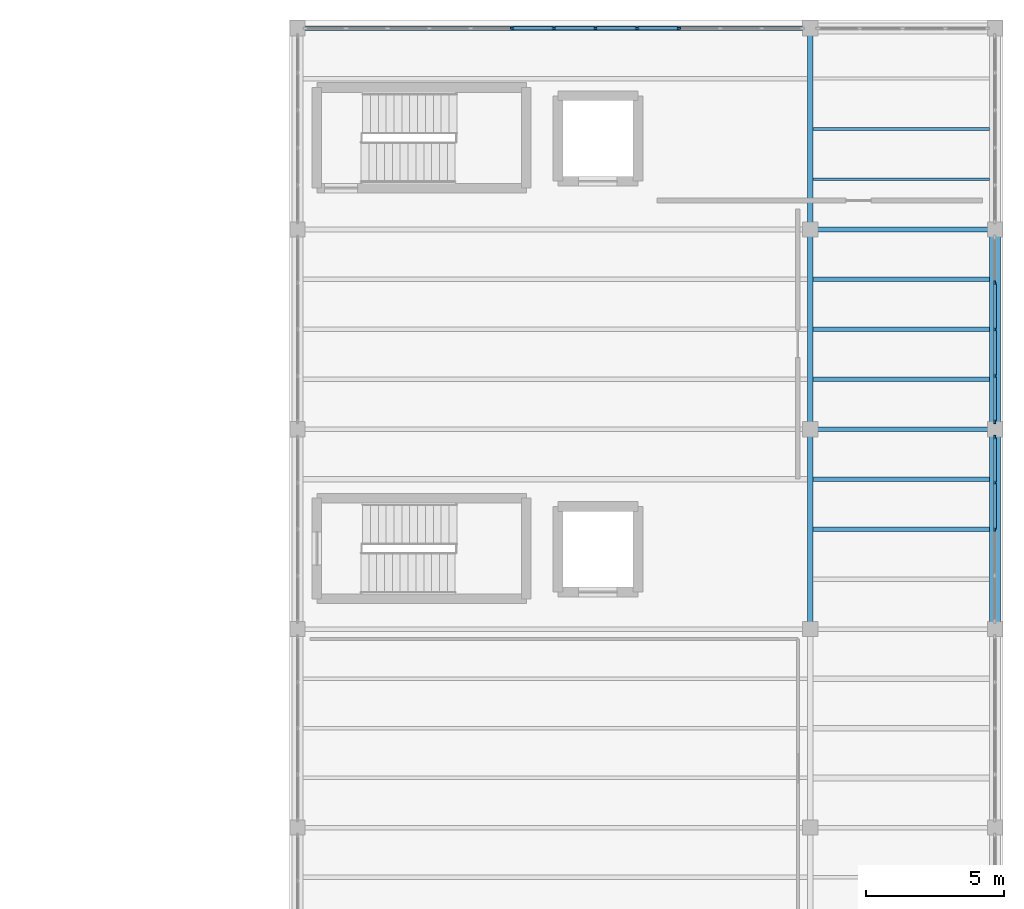
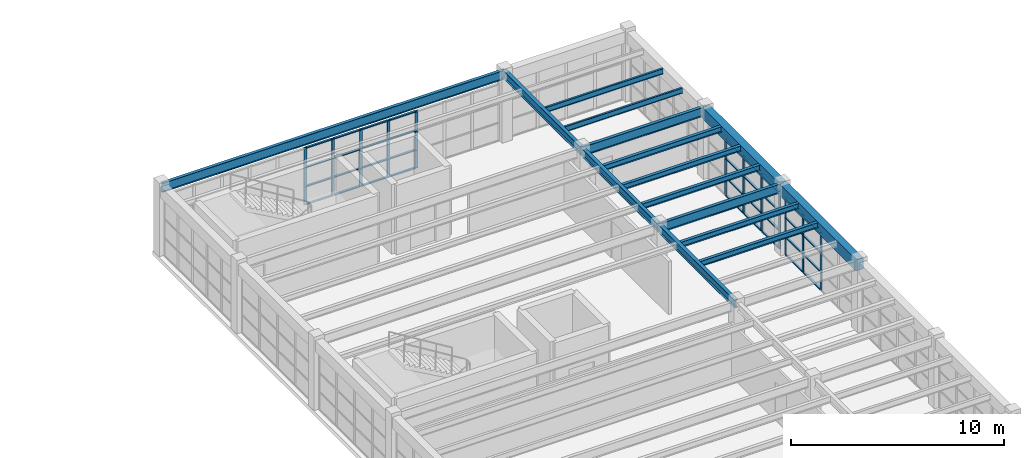
# One storey, part 34 of 66: 48 members, 15 beams, 3 elements without a shape of their own.
"""IFC4 building model written with IfcOpenShell, lengths in metres."""

from ifc_helpers import new_model, si_unit, direction, frame, origin, origin_2d, place, context, subcontext, project, spatial, rectangle, i_section, extrude, material, layer, layer_set, material_profile, profile_set, type_object, element, aggregate, save


model = new_model("IFC4")

# Units and contexts
model_context = context("Model", 3, precision=1e-05, world=origin(), true_north=direction((0.0, 1.0)))
body_context = subcontext(model_context, "Body", "Model", "MODEL_VIEW")
ifc_project = project(units=[si_unit("LENGTHUNIT", "METRE"), si_unit("AREAUNIT", "SQUARE_METRE"), si_unit("VOLUMEUNIT", "CUBIC_METRE"), si_unit("PLANEANGLEUNIT", "RADIAN"), si_unit("MASSUNIT", "GRAM", prefix="KILO")], contexts=[model_context])

# Site, building, storey
site_placement = place(None, origin())
site = spatial("IfcSite", under=ifc_project, at=site_placement, CompositionType="ELEMENT")
building_placement = place(site_placement, origin())
building = spatial("IfcBuilding", under=site, at=building_placement, Name="Candilejo Ridge Gondola Terminal", CompositionType="ELEMENT")
storey_placement = place(building_placement, frame((0.0, 0.0, 14.39990234375)))
storey = spatial("IfcBuildingStorey", under=building, at=storey_placement, Name="L03", CompositionType="ELEMENT", Elevation=14.39990234375)

# Curtain wall, members
ifc_material_1 = material(Name="Anodised aluminium AA 6063-T6", Category="aluminium")
ifc_layer_1 = layer(ifc_material_1, 0.169921875)
ifc_layer_set_1 = layer_set([ifc_layer_1], Name="ARC-CW-TOWER-3000-675X329")
curtain_wall_type_1 = type_object("IfcCurtainWallType", Name="ARC-CW-TOWER-3000-675X329", PredefinedType="NOTDEFINED", material=ifc_layer_set_1)
curtain_wall_1_placement = place(storey_placement, origin())
curtain_wall_1 = element("IfcCurtainWall", 1, at=curtain_wall_1_placement, inside=storey, type_object=curtain_wall_type_1, Name="Curtain wall V5 L03-203", PredefinedType="NOTDEFINED")
ifc_material_2 = material(Name="Anodised aluminium AA 6063-T6", Category="aluminium")
ifc_material_profile_1 = material_profile(ifc_material_2, rectangle(XDim=0.06494140625, YDim=0.14990234375, at=origin_2d()))
ifc_profile_set_1 = profile_set([ifc_material_profile_1], Name="Anodised aluminium AA 6063-T6")
member_type_1 = type_object("IfcMemberType", Name="ARC-CW-MULLION-150", PredefinedType="MULLION", material=ifc_profile_set_1)
member_1_placement = place(storey_placement, frame((175.300048828125, 102.675048828125, 0.0), z_axis=(0.0, 0.0, 1.0), x_axis=(-1.0, 0.0, 0.0)))
member_1 = element("IfcMember", 2, at=member_1_placement, type_object=member_type_1, Name="CW-67X32 mullion 3", PredefinedType="MULLION", context=body_context, shape_type="SweptSolid", body=[
    extrude(rectangle(XDim=0.06494140625, YDim=0.14990234375, at=origin_2d()), origin(), (0.0, 0.0, 1.0), 3.2900390625),
])
member_2_placement = place(storey_placement, frame((175.300048828125, 104.362548828125, 0.0), z_axis=(0.0, 0.0, 1.0), x_axis=(-1.0, 0.0, 0.0)))
member_2 = element("IfcMember", 3, at=member_2_placement, type_object=member_type_1, Name="CW-67X32 mullion 4", PredefinedType="MULLION", context=body_context, shape_type="SweptSolid", body=[
    extrude(rectangle(XDim=0.06494140625, YDim=0.14990234375, at=origin_2d()), origin(), (0.0, 0.0, 1.0), 3.2900390625),
])
member_3_placement = place(storey_placement, frame((175.300048828125, 106.017578125, 0.0), z_axis=(0.0, 0.0, 1.0), x_axis=(-1.0, 0.0, 0.0)))
member_3 = element("IfcMember", 4, at=member_3_placement, type_object=member_type_1, Name="CW-67X32 mullion 5", PredefinedType="MULLION", context=body_context, shape_type="SweptSolid", body=[
    extrude(rectangle(XDim=0.06494140625, YDim=0.14990234375, at=origin_2d()), origin(), (0.0, 0.0, 1.0), 3.2900390625),
])

curtain_wall_2_placement = place(storey_placement, origin())
curtain_wall_2 = element("IfcCurtainWall", 5, at=curtain_wall_2_placement, inside=storey, type_object=curtain_wall_type_1, Name="Curtain wall V5 L03-205", PredefinedType="NOTDEFINED")
member_4_placement = place(storey_placement, frame((175.300048828125, 106.58251953125, 0.0), z_axis=(0.0, 0.0, 1.0), x_axis=(-1.0, 0.0, 0.0)))
member_4 = element("IfcMember", 6, at=member_4_placement, type_object=member_type_1, Name="CW-67X32 mullion 1", PredefinedType="MULLION", context=body_context, shape_type="SweptSolid", body=[
    extrude(rectangle(XDim=0.06494140625, YDim=0.14990234375, at=origin_2d()), origin(), (0.0, 0.0, 1.0), 3.2900390625),
])
member_5_placement = place(storey_placement, frame((175.300048828125, 108.237548828125, 0.0), z_axis=(0.0, 0.0, 1.0), x_axis=(-1.0, 0.0, 0.0)))
member_5 = element("IfcMember", 7, at=member_5_placement, type_object=member_type_1, Name="CW-67X32 mullion 2", PredefinedType="MULLION", context=body_context, shape_type="SweptSolid", body=[
    extrude(rectangle(XDim=0.06494140625, YDim=0.14990234375, at=origin_2d()), origin(), (0.0, 0.0, 1.0), 3.2900390625),
])
member_6_placement = place(storey_placement, frame((175.300048828125, 109.925048828125, 0.0), z_axis=(0.0, 0.0, 1.0), x_axis=(-1.0, 0.0, 0.0)))
member_6 = element("IfcMember", 8, at=member_6_placement, type_object=member_type_1, Name="CW-67X32 mullion 3", PredefinedType="MULLION", context=body_context, shape_type="SweptSolid", body=[
    extrude(rectangle(XDim=0.06494140625, YDim=0.14990234375, at=origin_2d()), origin(), (0.0, 0.0, 1.0), 3.2900390625),
])
member_7_placement = place(storey_placement, frame((175.300048828125, 111.612548828125, 0.0), z_axis=(0.0, 0.0, 1.0), x_axis=(-1.0, 0.0, 0.0)))
member_7 = element("IfcMember", 9, at=member_7_placement, type_object=member_type_1, Name="CW-67X32 mullion 4", PredefinedType="MULLION", context=body_context, shape_type="SweptSolid", body=[
    extrude(rectangle(XDim=0.06494140625, YDim=0.14990234375, at=origin_2d()), origin(), (0.0, 0.0, 1.0), 3.2900390625),
])

ifc_material_3 = material(Name="Anodised aluminium AA 6063-T6", Category="aluminium")
ifc_layer_2 = layer(ifc_material_3, 0.169921875)
ifc_layer_set_2 = layer_set([ifc_layer_2], Name="ARC-CW-TOWER-3000-1810X329")
curtain_wall_type_2 = type_object("IfcCurtainWallType", Name="ARC-CW-TOWER-3000-1810X329", PredefinedType="NOTDEFINED", material=ifc_layer_set_2)
curtain_wall_3_placement = place(storey_placement, origin())
curtain_wall_3 = element("IfcCurtainWall", 10, at=curtain_wall_3_placement, inside=storey, type_object=curtain_wall_type_2, Name="Curtain wall V5 L03-209", PredefinedType="NOTDEFINED")
member_8_placement = place(storey_placement, frame((157.791748046875, 120.85009765625, 0.0), z_axis=(0.0, 0.0, 1.0), x_axis=(0.0, 1.0, 0.0)))
member_8 = element("IfcMember", 11, at=member_8_placement, type_object=member_type_1, Name="CW-181X32 mullion 6", PredefinedType="MULLION", context=body_context, shape_type="SweptSolid", body=[
    extrude(rectangle(XDim=0.06494140625, YDim=0.14990234375, at=origin_2d()), origin(), (0.0, 0.0, 1.0), 3.2900390625),
])
member_9_placement = place(storey_placement, frame((159.300048828125, 120.85009765625, 0.0), z_axis=(0.0, 0.0, 1.0), x_axis=(0.0, 1.0, 0.0)))
member_9 = element("IfcMember", 12, at=member_9_placement, type_object=member_type_1, Name="CW-181X32 mullion 7", PredefinedType="MULLION", context=body_context, shape_type="SweptSolid", body=[
    extrude(rectangle(XDim=0.06494140625, YDim=0.14990234375, at=origin_2d()), origin(), (0.0, 0.0, 1.0), 3.2900390625),
])
member_10_placement = place(storey_placement, frame((160.808349609375, 120.85009765625, 0.0), z_axis=(0.0, 0.0, 1.0), x_axis=(0.0, 1.0, 0.0)))
member_10 = element("IfcMember", 13, at=member_10_placement, type_object=member_type_1, Name="CW-181X32 mullion 8", PredefinedType="MULLION", context=body_context, shape_type="SweptSolid", body=[
    extrude(rectangle(XDim=0.06494140625, YDim=0.14990234375, at=origin_2d()), origin(), (0.0, 0.0, 1.0), 3.2900390625),
])
member_11_placement = place(storey_placement, frame((162.316650390625, 120.85009765625, 0.0), z_axis=(0.0, 0.0, 1.0), x_axis=(0.0, 1.0, 0.0)))
member_11 = element("IfcMember", 14, at=member_11_placement, type_object=member_type_1, Name="CW-181X32 mullion 9", PredefinedType="MULLION", context=body_context, shape_type="SweptSolid", body=[
    extrude(rectangle(XDim=0.06494140625, YDim=0.14990234375, at=origin_2d()), origin(), (0.0, 0.0, 1.0), 3.2900390625),
])
member_12_placement = place(storey_placement, frame((163.824951171875, 120.85009765625, 0.0), z_axis=(0.0, 0.0, 1.0), x_axis=(0.0, 1.0, 0.0)))
member_12 = element("IfcMember", 15, at=member_12_placement, type_object=member_type_1, Name="CW-181X32 mullion 10", PredefinedType="MULLION", context=body_context, shape_type="SweptSolid", body=[
    extrude(rectangle(XDim=0.06494140625, YDim=0.14990234375, at=origin_2d()), origin(), (0.0, 0.0, 1.0), 3.2900390625),
])

# Member
ifc_material_4 = material(Name="Anodised aluminium AA 6063-T6", Category="aluminium")
ifc_material_profile_2 = material_profile(ifc_material_4, rectangle(XDim=0.110107421875, YDim=0.06005859375, at=origin_2d()))
ifc_profile_set_2 = profile_set([ifc_material_profile_2], Name="Anodised aluminium AA 6063-T6")
member_type_2 = type_object("IfcMemberType", Name="ARC-CW-TRANSOM-110", PredefinedType="USERDEFINED", material=ifc_profile_set_2)
member_13_placement = place(storey_placement, frame((175.300048828125, 102.70751953125, 0.030029296875), z_axis=(0.0, 1.0, 0.0), x_axis=(-1.0, 0.0, 0.0)))
member_13 = element("IfcMember", 16, at=member_13_placement, type_object=member_type_2, Name="CW-67X32 transom 3.1", ObjectType="TRANSOM", PredefinedType="USERDEFINED", context=body_context, shape_type="SweptSolid", body=[
    extrude(rectangle(XDim=0.110107421875, YDim=0.06005859375, at=origin_2d()), origin(), (0.0, 0.0, 1.0), 1.62255859375),
])

member_14_placement = place(storey_placement, frame((175.300048828125, 102.70751953125, 1.050048828125), z_axis=(0.0, 1.0, 0.0), x_axis=(-1.0, 0.0, 0.0)))
member_14 = element("IfcMember", 17, at=member_14_placement, type_object=member_type_2, Name="CW-67X32 transom 3.2", ObjectType="TRANSOM", PredefinedType="USERDEFINED", context=body_context, shape_type="SweptSolid", body=[
    extrude(rectangle(XDim=0.110107421875, YDim=0.06005859375, at=origin_2d()), origin(), (0.0, 0.0, 1.0), 1.62255859375),
])

member_15_placement = place(storey_placement, frame((175.300048828125, 102.70751953125, 2.150146484375), z_axis=(0.0, 1.0, 0.0), x_axis=(-1.0, 0.0, 0.0)))
member_15 = element("IfcMember", 18, at=member_15_placement, type_object=member_type_2, Name="CW-67X32 transom 3.3", ObjectType="TRANSOM", PredefinedType="USERDEFINED", context=body_context, shape_type="SweptSolid", body=[
    extrude(rectangle(XDim=0.110107421875, YDim=0.06005859375, at=origin_2d()), origin(), (0.0, 0.0, 1.0), 1.62255859375),
])

member_16_placement = place(storey_placement, frame((175.300048828125, 102.70751953125, 3.260009765625), z_axis=(0.0, 1.0, 0.0), x_axis=(-1.0, 0.0, 0.0)))
member_16 = element("IfcMember", 19, at=member_16_placement, type_object=member_type_2, Name="CW-67X32 transom 3.4", ObjectType="TRANSOM", PredefinedType="USERDEFINED", context=body_context, shape_type="SweptSolid", body=[
    extrude(rectangle(XDim=0.110107421875, YDim=0.06005859375, at=origin_2d()), origin(), (0.0, 0.0, 1.0), 1.62255859375),
])

member_17_placement = place(storey_placement, frame((175.300048828125, 104.39501953125, 0.030029296875), z_axis=(0.0, 1.0, 0.0), x_axis=(-1.0, 0.0, 0.0)))
member_17 = element("IfcMember", 20, at=member_17_placement, type_object=member_type_2, Name="CW-67X32 transom 4.1", ObjectType="TRANSOM", PredefinedType="USERDEFINED", context=body_context, shape_type="SweptSolid", body=[
    extrude(rectangle(XDim=0.110107421875, YDim=0.06005859375, at=origin_2d()), origin(), (0.0, 0.0, 1.0), 1.590087890625),
])

member_18_placement = place(storey_placement, frame((175.300048828125, 104.39501953125, 1.050048828125), z_axis=(0.0, 1.0, 0.0), x_axis=(-1.0, 0.0, 0.0)))
member_18 = element("IfcMember", 21, at=member_18_placement, type_object=member_type_2, Name="CW-67X32 transom 4.2", ObjectType="TRANSOM", PredefinedType="USERDEFINED", context=body_context, shape_type="SweptSolid", body=[
    extrude(rectangle(XDim=0.110107421875, YDim=0.06005859375, at=origin_2d()), origin(), (0.0, 0.0, 1.0), 1.590087890625),
])

member_19_placement = place(storey_placement, frame((175.300048828125, 104.39501953125, 2.150146484375), z_axis=(0.0, 1.0, 0.0), x_axis=(-1.0, 0.0, 0.0)))
member_19 = element("IfcMember", 22, at=member_19_placement, type_object=member_type_2, Name="CW-67X32 transom 4.3", ObjectType="TRANSOM", PredefinedType="USERDEFINED", context=body_context, shape_type="SweptSolid", body=[
    extrude(rectangle(XDim=0.110107421875, YDim=0.06005859375, at=origin_2d()), origin(), (0.0, 0.0, 1.0), 1.590087890625),
])

member_20_placement = place(storey_placement, frame((175.300048828125, 104.39501953125, 3.260009765625), z_axis=(0.0, 1.0, 0.0), x_axis=(-1.0, 0.0, 0.0)))
member_20 = element("IfcMember", 23, at=member_20_placement, type_object=member_type_2, Name="CW-67X32 transom 4.4", ObjectType="TRANSOM", PredefinedType="USERDEFINED", context=body_context, shape_type="SweptSolid", body=[
    extrude(rectangle(XDim=0.110107421875, YDim=0.06005859375, at=origin_2d()), origin(), (0.0, 0.0, 1.0), 1.590087890625),
])

aggregate(curtain_wall_1, [member_1, member_2, member_3, member_13, member_14, member_15, member_16, member_17, member_18, member_19, member_20])

member_21_placement = place(storey_placement, frame((175.300048828125, 106.614990234375, 0.030029296875), z_axis=(0.0, 1.0, 0.0), x_axis=(-1.0, 0.0, 0.0)))
member_21 = element("IfcMember", 24, at=member_21_placement, type_object=member_type_2, Name="CW-67X32 transom 1.1", ObjectType="TRANSOM", PredefinedType="USERDEFINED", context=body_context, shape_type="SweptSolid", body=[
    extrude(rectangle(XDim=0.110107421875, YDim=0.06005859375, at=origin_2d()), origin(), (0.0, 0.0, 1.0), 1.590087890625),
])

member_22_placement = place(storey_placement, frame((175.300048828125, 106.614990234375, 1.050048828125), z_axis=(0.0, 1.0, 0.0), x_axis=(-1.0, 0.0, 0.0)))
member_22 = element("IfcMember", 25, at=member_22_placement, type_object=member_type_2, Name="CW-67X32 transom 1.2", ObjectType="TRANSOM", PredefinedType="USERDEFINED", context=body_context, shape_type="SweptSolid", body=[
    extrude(rectangle(XDim=0.110107421875, YDim=0.06005859375, at=origin_2d()), origin(), (0.0, 0.0, 1.0), 1.590087890625),
])

member_23_placement = place(storey_placement, frame((175.300048828125, 106.614990234375, 2.150146484375), z_axis=(0.0, 1.0, 0.0), x_axis=(-1.0, 0.0, 0.0)))
member_23 = element("IfcMember", 26, at=member_23_placement, type_object=member_type_2, Name="CW-67X32 transom 1.3", ObjectType="TRANSOM", PredefinedType="USERDEFINED", context=body_context, shape_type="SweptSolid", body=[
    extrude(rectangle(XDim=0.110107421875, YDim=0.06005859375, at=origin_2d()), origin(), (0.0, 0.0, 1.0), 1.590087890625),
])

member_24_placement = place(storey_placement, frame((175.300048828125, 106.614990234375, 3.260009765625), z_axis=(0.0, 1.0, 0.0), x_axis=(-1.0, 0.0, 0.0)))
member_24 = element("IfcMember", 27, at=member_24_placement, type_object=member_type_2, Name="CW-67X32 transom 1.4", ObjectType="TRANSOM", PredefinedType="USERDEFINED", context=body_context, shape_type="SweptSolid", body=[
    extrude(rectangle(XDim=0.110107421875, YDim=0.06005859375, at=origin_2d()), origin(), (0.0, 0.0, 1.0), 1.590087890625),
])

member_25_placement = place(storey_placement, frame((175.300048828125, 108.27001953125, 0.030029296875), z_axis=(0.0, 1.0, 0.0), x_axis=(-1.0, 0.0, 0.0)))
member_25 = element("IfcMember", 28, at=member_25_placement, type_object=member_type_2, Name="CW-67X32 transom 2.1", ObjectType="TRANSOM", PredefinedType="USERDEFINED", context=body_context, shape_type="SweptSolid", body=[
    extrude(rectangle(XDim=0.110107421875, YDim=0.06005859375, at=origin_2d()), origin(), (0.0, 0.0, 1.0), 1.62255859375),
])

member_26_placement = place(storey_placement, frame((175.300048828125, 108.27001953125, 1.050048828125), z_axis=(0.0, 1.0, 0.0), x_axis=(-1.0, 0.0, 0.0)))
member_26 = element("IfcMember", 29, at=member_26_placement, type_object=member_type_2, Name="CW-67X32 transom 2.2", ObjectType="TRANSOM", PredefinedType="USERDEFINED", context=body_context, shape_type="SweptSolid", body=[
    extrude(rectangle(XDim=0.110107421875, YDim=0.06005859375, at=origin_2d()), origin(), (0.0, 0.0, 1.0), 1.62255859375),
])

member_27_placement = place(storey_placement, frame((175.300048828125, 108.27001953125, 2.150146484375), z_axis=(0.0, 1.0, 0.0), x_axis=(-1.0, 0.0, 0.0)))
member_27 = element("IfcMember", 30, at=member_27_placement, type_object=member_type_2, Name="CW-67X32 transom 2.3", ObjectType="TRANSOM", PredefinedType="USERDEFINED", context=body_context, shape_type="SweptSolid", body=[
    extrude(rectangle(XDim=0.110107421875, YDim=0.06005859375, at=origin_2d()), origin(), (0.0, 0.0, 1.0), 1.62255859375),
])

member_28_placement = place(storey_placement, frame((175.300048828125, 108.27001953125, 3.260009765625), z_axis=(0.0, 1.0, 0.0), x_axis=(-1.0, 0.0, 0.0)))
member_28 = element("IfcMember", 31, at=member_28_placement, type_object=member_type_2, Name="CW-67X32 transom 2.4", ObjectType="TRANSOM", PredefinedType="USERDEFINED", context=body_context, shape_type="SweptSolid", body=[
    extrude(rectangle(XDim=0.110107421875, YDim=0.06005859375, at=origin_2d()), origin(), (0.0, 0.0, 1.0), 1.62255859375),
])

member_29_placement = place(storey_placement, frame((175.300048828125, 109.95751953125, 0.030029296875), z_axis=(0.0, 1.0, 0.0), x_axis=(-1.0, 0.0, 0.0)))
member_29 = element("IfcMember", 32, at=member_29_placement, type_object=member_type_2, Name="CW-67X32 transom 3.1", ObjectType="TRANSOM", PredefinedType="USERDEFINED", context=body_context, shape_type="SweptSolid", body=[
    extrude(rectangle(XDim=0.110107421875, YDim=0.06005859375, at=origin_2d()), origin(), (0.0, 0.0, 1.0), 1.62255859375),
])

member_30_placement = place(storey_placement, frame((175.300048828125, 109.95751953125, 1.050048828125), z_axis=(0.0, 1.0, 0.0), x_axis=(-1.0, 0.0, 0.0)))
member_30 = element("IfcMember", 33, at=member_30_placement, type_object=member_type_2, Name="CW-67X32 transom 3.2", ObjectType="TRANSOM", PredefinedType="USERDEFINED", context=body_context, shape_type="SweptSolid", body=[
    extrude(rectangle(XDim=0.110107421875, YDim=0.06005859375, at=origin_2d()), origin(), (0.0, 0.0, 1.0), 1.62255859375),
])

member_31_placement = place(storey_placement, frame((175.300048828125, 109.95751953125, 2.150146484375), z_axis=(0.0, 1.0, 0.0), x_axis=(-1.0, 0.0, 0.0)))
member_31 = element("IfcMember", 34, at=member_31_placement, type_object=member_type_2, Name="CW-67X32 transom 3.3", ObjectType="TRANSOM", PredefinedType="USERDEFINED", context=body_context, shape_type="SweptSolid", body=[
    extrude(rectangle(XDim=0.110107421875, YDim=0.06005859375, at=origin_2d()), origin(), (0.0, 0.0, 1.0), 1.62255859375),
])

member_32_placement = place(storey_placement, frame((175.300048828125, 109.95751953125, 3.260009765625), z_axis=(0.0, 1.0, 0.0), x_axis=(-1.0, 0.0, 0.0)))
member_32 = element("IfcMember", 35, at=member_32_placement, type_object=member_type_2, Name="CW-67X32 transom 3.4", ObjectType="TRANSOM", PredefinedType="USERDEFINED", context=body_context, shape_type="SweptSolid", body=[
    extrude(rectangle(XDim=0.110107421875, YDim=0.06005859375, at=origin_2d()), origin(), (0.0, 0.0, 1.0), 1.62255859375),
])

aggregate(curtain_wall_2, [member_4, member_5, member_6, member_7, member_21, member_22, member_23, member_24, member_25, member_26, member_27, member_28, member_29, member_30, member_31, member_32])

member_33_placement = place(storey_placement, frame((157.82421875, 120.85009765625, 0.030029296875), z_axis=(1.0, 0.0, 0.0), x_axis=(0.0, 1.0, 0.0)))
member_33 = element("IfcMember", 36, at=member_33_placement, type_object=member_type_2, Name="CW-181X32 transom 6.1", ObjectType="TRANSOM", PredefinedType="USERDEFINED", context=body_context, shape_type="SweptSolid", body=[
    extrude(rectangle(XDim=0.110107421875, YDim=0.06005859375, at=origin_2d()), origin(), (0.0, 0.0, 1.0), 1.443359375),
])

member_34_placement = place(storey_placement, frame((157.82421875, 120.85009765625, 1.050048828125), z_axis=(1.0, 0.0, 0.0), x_axis=(0.0, 1.0, 0.0)))
member_34 = element("IfcMember", 37, at=member_34_placement, type_object=member_type_2, Name="CW-181X32 transom 6.2", ObjectType="TRANSOM", PredefinedType="USERDEFINED", context=body_context, shape_type="SweptSolid", body=[
    extrude(rectangle(XDim=0.110107421875, YDim=0.06005859375, at=origin_2d()), origin(), (0.0, 0.0, 1.0), 1.443359375),
])

member_35_placement = place(storey_placement, frame((157.82421875, 120.85009765625, 2.150146484375), z_axis=(1.0, 0.0, 0.0), x_axis=(0.0, 1.0, 0.0)))
member_35 = element("IfcMember", 38, at=member_35_placement, type_object=member_type_2, Name="CW-181X32 transom 6.3", ObjectType="TRANSOM", PredefinedType="USERDEFINED", context=body_context, shape_type="SweptSolid", body=[
    extrude(rectangle(XDim=0.110107421875, YDim=0.06005859375, at=origin_2d()), origin(), (0.0, 0.0, 1.0), 1.443359375),
])

member_36_placement = place(storey_placement, frame((157.82421875, 120.85009765625, 3.260009765625), z_axis=(1.0, 0.0, 0.0), x_axis=(0.0, 1.0, 0.0)))
member_36 = element("IfcMember", 39, at=member_36_placement, type_object=member_type_2, Name="CW-181X32 transom 6.4", ObjectType="TRANSOM", PredefinedType="USERDEFINED", context=body_context, shape_type="SweptSolid", body=[
    extrude(rectangle(XDim=0.110107421875, YDim=0.06005859375, at=origin_2d()), origin(), (0.0, 0.0, 1.0), 1.443359375),
])

member_37_placement = place(storey_placement, frame((159.33251953125, 120.85009765625, 0.030029296875), z_axis=(1.0, 0.0, 0.0), x_axis=(0.0, 1.0, 0.0)))
member_37 = element("IfcMember", 40, at=member_37_placement, type_object=member_type_2, Name="CW-181X32 transom 7.1", ObjectType="TRANSOM", PredefinedType="USERDEFINED", context=body_context, shape_type="SweptSolid", body=[
    extrude(rectangle(XDim=0.110107421875, YDim=0.06005859375, at=origin_2d()), origin(), (0.0, 0.0, 1.0), 1.443359375),
])

member_38_placement = place(storey_placement, frame((159.33251953125, 120.85009765625, 1.050048828125), z_axis=(1.0, 0.0, 0.0), x_axis=(0.0, 1.0, 0.0)))
member_38 = element("IfcMember", 41, at=member_38_placement, type_object=member_type_2, Name="CW-181X32 transom 7.2", ObjectType="TRANSOM", PredefinedType="USERDEFINED", context=body_context, shape_type="SweptSolid", body=[
    extrude(rectangle(XDim=0.110107421875, YDim=0.06005859375, at=origin_2d()), origin(), (0.0, 0.0, 1.0), 1.443359375),
])

member_39_placement = place(storey_placement, frame((159.33251953125, 120.85009765625, 2.150146484375), z_axis=(1.0, 0.0, 0.0), x_axis=(0.0, 1.0, 0.0)))
member_39 = element("IfcMember", 42, at=member_39_placement, type_object=member_type_2, Name="CW-181X32 transom 7.3", ObjectType="TRANSOM", PredefinedType="USERDEFINED", context=body_context, shape_type="SweptSolid", body=[
    extrude(rectangle(XDim=0.110107421875, YDim=0.06005859375, at=origin_2d()), origin(), (0.0, 0.0, 1.0), 1.443359375),
])

member_40_placement = place(storey_placement, frame((159.33251953125, 120.85009765625, 3.260009765625), z_axis=(1.0, 0.0, 0.0), x_axis=(0.0, 1.0, 0.0)))
member_40 = element("IfcMember", 43, at=member_40_placement, type_object=member_type_2, Name="CW-181X32 transom 7.4", ObjectType="TRANSOM", PredefinedType="USERDEFINED", context=body_context, shape_type="SweptSolid", body=[
    extrude(rectangle(XDim=0.110107421875, YDim=0.06005859375, at=origin_2d()), origin(), (0.0, 0.0, 1.0), 1.443359375),
])

member_41_placement = place(storey_placement, frame((160.8408203125, 120.85009765625, 0.030029296875), z_axis=(1.0, 0.0, 0.0), x_axis=(0.0, 1.0, 0.0)))
member_41 = element("IfcMember", 44, at=member_41_placement, type_object=member_type_2, Name="CW-181X32 transom 8.1", ObjectType="TRANSOM", PredefinedType="USERDEFINED", context=body_context, shape_type="SweptSolid", body=[
    extrude(rectangle(XDim=0.110107421875, YDim=0.06005859375, at=origin_2d()), origin(), (0.0, 0.0, 1.0), 1.443359375),
])

member_42_placement = place(storey_placement, frame((160.8408203125, 120.85009765625, 1.050048828125), z_axis=(1.0, 0.0, 0.0), x_axis=(0.0, 1.0, 0.0)))
member_42 = element("IfcMember", 45, at=member_42_placement, type_object=member_type_2, Name="CW-181X32 transom 8.2", ObjectType="TRANSOM", PredefinedType="USERDEFINED", context=body_context, shape_type="SweptSolid", body=[
    extrude(rectangle(XDim=0.110107421875, YDim=0.06005859375, at=origin_2d()), origin(), (0.0, 0.0, 1.0), 1.443359375),
])

member_43_placement = place(storey_placement, frame((160.8408203125, 120.85009765625, 2.150146484375), z_axis=(1.0, 0.0, 0.0), x_axis=(0.0, 1.0, 0.0)))
member_43 = element("IfcMember", 46, at=member_43_placement, type_object=member_type_2, Name="CW-181X32 transom 8.3", ObjectType="TRANSOM", PredefinedType="USERDEFINED", context=body_context, shape_type="SweptSolid", body=[
    extrude(rectangle(XDim=0.110107421875, YDim=0.06005859375, at=origin_2d()), origin(), (0.0, 0.0, 1.0), 1.443359375),
])

member_44_placement = place(storey_placement, frame((160.8408203125, 120.85009765625, 3.260009765625), z_axis=(1.0, 0.0, 0.0), x_axis=(0.0, 1.0, 0.0)))
member_44 = element("IfcMember", 47, at=member_44_placement, type_object=member_type_2, Name="CW-181X32 transom 8.4", ObjectType="TRANSOM", PredefinedType="USERDEFINED", context=body_context, shape_type="SweptSolid", body=[
    extrude(rectangle(XDim=0.110107421875, YDim=0.06005859375, at=origin_2d()), origin(), (0.0, 0.0, 1.0), 1.443359375),
])

member_45_placement = place(storey_placement, frame((162.34912109375, 120.85009765625, 0.030029296875), z_axis=(1.0, 0.0, 0.0), x_axis=(0.0, 1.0, 0.0)))
member_45 = element("IfcMember", 48, at=member_45_placement, type_object=member_type_2, Name="CW-181X32 transom 9.1", ObjectType="TRANSOM", PredefinedType="USERDEFINED", context=body_context, shape_type="SweptSolid", body=[
    extrude(rectangle(XDim=0.110107421875, YDim=0.06005859375, at=origin_2d()), origin(), (0.0, 0.0, 1.0), 1.443359375),
])

member_46_placement = place(storey_placement, frame((162.34912109375, 120.85009765625, 1.050048828125), z_axis=(1.0, 0.0, 0.0), x_axis=(0.0, 1.0, 0.0)))
member_46 = element("IfcMember", 49, at=member_46_placement, type_object=member_type_2, Name="CW-181X32 transom 9.2", ObjectType="TRANSOM", PredefinedType="USERDEFINED", context=body_context, shape_type="SweptSolid", body=[
    extrude(rectangle(XDim=0.110107421875, YDim=0.06005859375, at=origin_2d()), origin(), (0.0, 0.0, 1.0), 1.443359375),
])

member_47_placement = place(storey_placement, frame((162.34912109375, 120.85009765625, 2.150146484375), z_axis=(1.0, 0.0, 0.0), x_axis=(0.0, 1.0, 0.0)))
member_47 = element("IfcMember", 50, at=member_47_placement, type_object=member_type_2, Name="CW-181X32 transom 9.3", ObjectType="TRANSOM", PredefinedType="USERDEFINED", context=body_context, shape_type="SweptSolid", body=[
    extrude(rectangle(XDim=0.110107421875, YDim=0.06005859375, at=origin_2d()), origin(), (0.0, 0.0, 1.0), 1.443359375),
])

member_48_placement = place(storey_placement, frame((162.34912109375, 120.85009765625, 3.260009765625), z_axis=(1.0, 0.0, 0.0), x_axis=(0.0, 1.0, 0.0)))
member_48 = element("IfcMember", 51, at=member_48_placement, type_object=member_type_2, Name="CW-181X32 transom 9.4", ObjectType="TRANSOM", PredefinedType="USERDEFINED", context=body_context, shape_type="SweptSolid", body=[
    extrude(rectangle(XDim=0.110107421875, YDim=0.06005859375, at=origin_2d()), origin(), (0.0, 0.0, 1.0), 1.443359375),
])

aggregate(curtain_wall_3, [member_8, member_9, member_10, member_11, member_12, member_33, member_34, member_35, member_36, member_37, member_38, member_39, member_40, member_41, member_42, member_43, member_44, member_45, member_46, member_47, member_48])

# Beams
ifc_material_5 = material(Name="Steel ASTM A992 Grade 50", Category="steel")
ifc_material_profile_3 = material_profile(ifc_material_5, i_section(OverallWidth=0.194091796875, OverallDepth=0.468994140625, WebThickness=0.0126953125, FlangeThickness=0.0205078125, at=origin_2d()))
ifc_profile_set_3 = profile_set([ifc_material_profile_3], Name="Steel ASTM A992 Grade 50")
beam_type_1 = type_object("IfcBeamType", Name="STR-BM-W460X106", PredefinedType="BEAM", material=ifc_profile_set_3)
for number, where, z_axis, x_axis, name in (
    (52, (168.60009765625, 99.050048828125, 3.755615234375), (0.0, 1.0, 0.0), (-1.0, 0.0, 0.0), "Beam Y V5 L03 Y17-Y18@X25"),
    (53, (168.60009765625, 106.300048828125, 3.755615234375), (0.0, 1.0, 0.0), (-1.0, 0.0, 0.0), "Beam Y V5 L03 Y18-Y19@X25"),
):
    element("IfcBeam", number, at=place(storey_placement, frame(where, z_axis=z_axis, x_axis=x_axis)), inside=storey, type_object=beam_type_1, Name=name, PredefinedType="BEAM", context=body_context, shape_type="SweptSolid", body=[
        extrude(i_section(OverallWidth=0.194091796875, OverallDepth=0.468994140625, WebThickness=0.0126953125, FlangeThickness=0.0205078125, at=origin_2d()), origin(), (0.0, 0.0, 1.0), 7.25),
    ])
beam_1_placement = place(storey_placement, frame((168.60009765625, 113.550048828125, 3.755615234375), z_axis=(0.0, 1.0, 0.0), x_axis=(-1.0, 0.0, 0.0)))
element("IfcBeam", 54, at=beam_1_placement, inside=storey, type_object=beam_type_1, Name="Beam Y V5 L03 Y19-Y20@X25", PredefinedType="BEAM", context=body_context, shape_type="SweptSolid", body=[
    extrude(i_section(OverallWidth=0.194091796875, OverallDepth=0.468994140625, WebThickness=0.0126953125, FlangeThickness=0.0205078125, at=origin_2d()), origin(), (0.0, 0.0, 1.0), 7.300048828125),
])
ifc_material_6 = material(Name="Steel ASTM A992 Grade 50", Category="steel")
ifc_material_profile_4 = material_profile(ifc_material_6, i_section(OverallWidth=0.166015625, OverallDepth=0.529052734375, WebThickness=0.009765625, FlangeThickness=0.013671875, at=origin_2d()))
ifc_profile_set_4 = profile_set([ifc_material_profile_4], Name="Steel ASTM A992 Grade 50")
beam_type_2 = type_object("IfcBeamType", Name="STR-BM-W530X74", PredefinedType="BEAM", material=ifc_profile_set_4)
for number, where, z_axis, x_axis, name in (
    (55, (168.60009765625, 106.300048828125, 3.7255859375), (1.0, 0.0, 0.0), (0.0, 1.0, 0.0), "Beam X V5 L03 X25-X27@Y18"),
    (56, (168.60009765625, 113.550048828125, 3.7255859375), (1.0, 0.0, 0.0), (0.0, 1.0, 0.0), "Beam X V5 L03 X25-X27@Y19"),
):
    element("IfcBeam", number, at=place(storey_placement, frame(where, z_axis=z_axis, x_axis=x_axis)), inside=storey, type_object=beam_type_2, Name=name, PredefinedType="BEAM", context=body_context, shape_type="SweptSolid", body=[
        extrude(i_section(OverallWidth=0.166015625, OverallDepth=0.529052734375, WebThickness=0.009765625, FlangeThickness=0.013671875, at=origin_2d()), origin(), (0.0, 0.0, 1.0), 6.699951171875),
    ])
beam_2_placement = place(storey_placement, frame((150.0, 120.85009765625, 3.7255859375), z_axis=(1.0, 0.0, 0.0), x_axis=(0.0, 1.0, 0.0)))
element("IfcBeam", 57, at=beam_2_placement, inside=storey, type_object=beam_type_2, Name="Beam X V5 L03 X23-X25@Y20", PredefinedType="BEAM", context=body_context, shape_type="SweptSolid", body=[
    extrude(i_section(OverallWidth=0.166015625, OverallDepth=0.529052734375, WebThickness=0.009765625, FlangeThickness=0.013671875, at=origin_2d()), origin(), (0.0, 0.0, 1.0), 18.60009765625),
])
ifc_material_7 = material(Name="Steel ASTM A992 Grade 50", Category="steel")
ifc_material_profile_5 = material_profile(ifc_material_7, i_section(OverallWidth=0.10205078125, OverallDepth=0.31298828125, WebThickness=0.006591796875, FlangeThickness=0.0107421875, at=origin_2d()))
ifc_profile_set_5 = profile_set([ifc_material_profile_5], Name="Steel ASTM A992 Grade 50")
beam_type_3 = type_object("IfcBeamType", Name="STR-JST-W310X33", PredefinedType="JOIST", material=ifc_profile_set_5)
for number, where, z_axis, x_axis, name in (
    (58, (168.697021484375, 115.375, 3.83349609375), (1.0, 0.0, 0.0), (0.0, 1.0, 0.0), "Composite joist V5 L03-1404"),
    (59, (168.697021484375, 117.199951171875, 3.83349609375), (1.0, 0.0, 0.0), (0.0, 1.0, 0.0), "Composite joist V5 L03-1405"),
):
    element("IfcBeam", number, at=place(storey_placement, frame(where, z_axis=z_axis, x_axis=x_axis)), inside=storey, type_object=beam_type_3, Name=name, PredefinedType="JOIST", context=body_context, shape_type="SweptSolid", body=[
        extrude(i_section(OverallWidth=0.10205078125, OverallDepth=0.31298828125, WebThickness=0.006591796875, FlangeThickness=0.0107421875, at=origin_2d()), origin(), (0.0, 0.0, 1.0), 6.403076171875),
    ])
ifc_material_8 = material(Name="Steel ASTM A992 Grade 50", Category="steel")
ifc_material_profile_6 = material_profile(ifc_material_8, i_section(OverallWidth=0.1650390625, OverallDepth=0.31005859375, WebThickness=0.005859375, FlangeThickness=0.009765625, at=origin_2d()))
ifc_profile_set_6 = profile_set([ifc_material_profile_6], Name="Steel ASTM A992 Grade 50")
beam_type_4 = type_object("IfcBeamType", Name="STR-JST-W310X39", PredefinedType="JOIST", material=ifc_profile_set_6)
for number, where, z_axis, x_axis, name in (
    (60, (168.697021484375, 108.112548828125, 3.835205078125), (1.0, 0.0, 0.0), (0.0, 1.0, 0.0), "Composite joist V5 L03-1401"),
    (61, (168.697021484375, 109.925048828125, 3.835205078125), (1.0, 0.0, 0.0), (0.0, 1.0, 0.0), "Composite joist V5 L03-1402"),
    (62, (168.697021484375, 111.737548828125, 3.835205078125), (1.0, 0.0, 0.0), (0.0, 1.0, 0.0), "Composite joist V5 L03-1403"),
):
    element("IfcBeam", number, at=place(storey_placement, frame(where, z_axis=z_axis, x_axis=x_axis)), inside=storey, type_object=beam_type_4, Name=name, PredefinedType="JOIST", context=body_context, shape_type="SweptSolid", body=[
        extrude(i_section(OverallWidth=0.1650390625, OverallDepth=0.31005859375, WebThickness=0.005859375, FlangeThickness=0.009765625, at=origin_2d()), origin(), (0.0, 0.0, 1.0), 6.403076171875),
    ])
ifc_material_9 = material(Name="Steel ASTM A992 Grade 50", Category="steel")
ifc_material_profile_7 = material_profile(ifc_material_9, i_section(OverallWidth=0.166015625, OverallDepth=0.31298828125, WebThickness=0.006591796875, FlangeThickness=0.01123046875, at=origin_2d()))
ifc_profile_set_7 = profile_set([ifc_material_profile_7], Name="Steel ASTM A992 Grade 50")
beam_type_5 = type_object("IfcBeamType", Name="STR-JST-W310X44", PredefinedType="JOIST", material=ifc_profile_set_7)
for number, where, z_axis, x_axis, name in (
    (63, (168.697021484375, 102.675048828125, 3.83349609375), (1.0, 0.0, 0.0), (0.0, 1.0, 0.0), "Composite joist V5 L03-1399"),
    (64, (168.697021484375, 104.487548828125, 3.83349609375), (1.0, 0.0, 0.0), (0.0, 1.0, 0.0), "Composite joist V5 L03-1400"),
):
    element("IfcBeam", number, at=place(storey_placement, frame(where, z_axis=z_axis, x_axis=x_axis)), inside=storey, type_object=beam_type_5, Name=name, PredefinedType="JOIST", context=body_context, shape_type="SweptSolid", body=[
        extrude(i_section(OverallWidth=0.166015625, OverallDepth=0.31298828125, WebThickness=0.006591796875, FlangeThickness=0.01123046875, at=origin_2d()), origin(), (0.0, 0.0, 1.0), 6.403076171875),
    ])
ifc_material_10 = material(Name="Concrete f'c 35 MPa (C35/45)", Category="concrete")
ifc_material_profile_8 = material_profile(ifc_material_10, rectangle(XDim=0.39990234375, YDim=0.64990234375, at=origin_2d()))
ifc_profile_set_8 = profile_set([ifc_material_profile_8], Name="Concrete f'c 35 MPa (C35/45)")
beam_type_6 = type_object("IfcBeamType", Name="STR-SPN-RC400X650", PredefinedType="SPANDREL", material=ifc_profile_set_8)
for number, where, z_axis, x_axis, name in (
    (65, (175.300048828125, 99.050048828125, 3.6650390625), (0.0, 1.0, 0.0), (-1.0, 0.0, 0.0), "Beam Y V5 L03 Y17-Y18@X27"),
    (66, (175.300048828125, 106.300048828125, 3.6650390625), (0.0, 1.0, 0.0), (-1.0, 0.0, 0.0), "Beam Y V5 L03 Y18-Y19@X27"),
):
    element("IfcBeam", number, at=place(storey_placement, frame(where, z_axis=z_axis, x_axis=x_axis)), inside=storey, type_object=beam_type_6, Name=name, PredefinedType="SPANDREL", context=body_context, shape_type="SweptSolid", body=[
        extrude(rectangle(XDim=0.39990234375, YDim=0.64990234375, at=origin_2d()), origin(), (0.0, 0.0, 1.0), 7.25),
    ])

save(model, "model.ifc")
